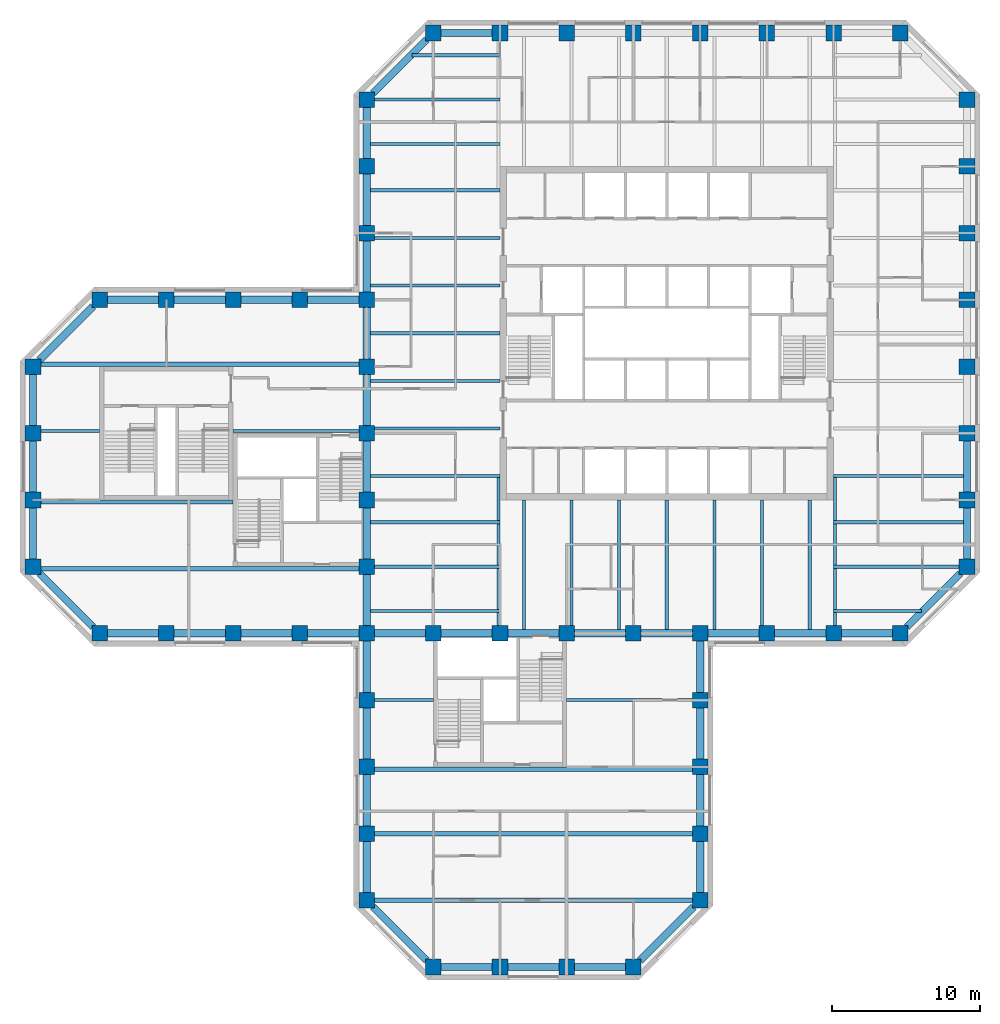
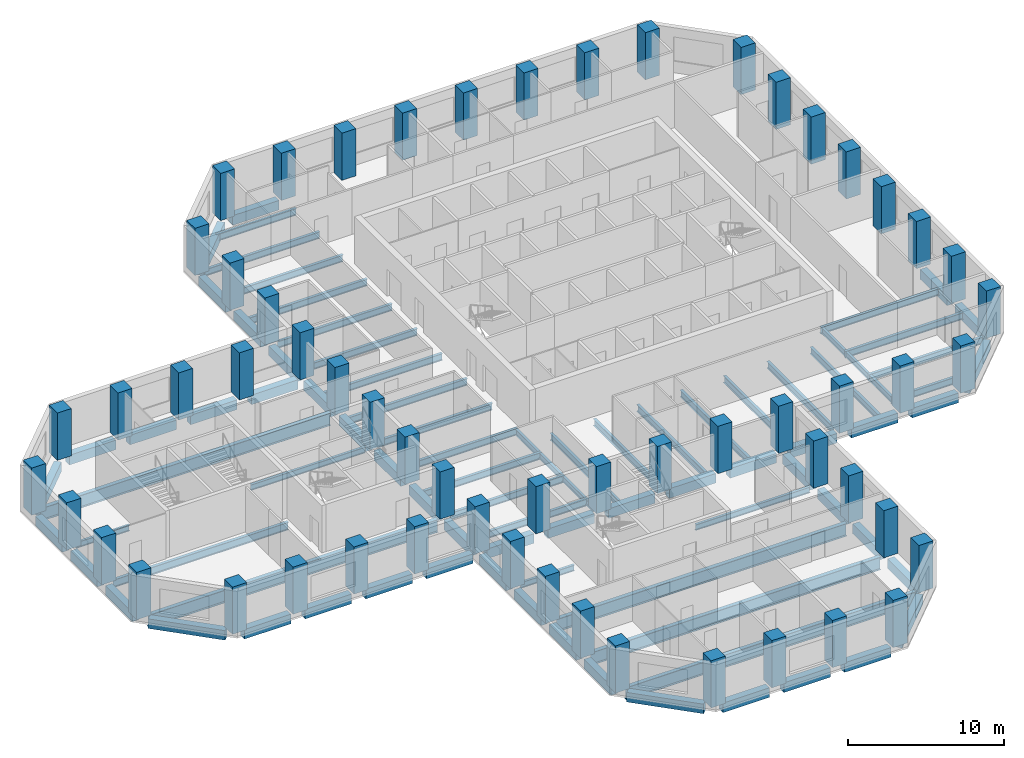
# One storey, part 1 of 11: 83 beams, 57 columns.
"""IFC4 building model written with IfcOpenShell, lengths in metres."""

from ifc_helpers import new_model, si_unit, direction, frame, origin, origin_2d, place, context, subcontext, project, spatial, rectangle, i_section, extrude, material, material_profile, profile_set, type_object, element, save


model = new_model("IFC4")

# Units and contexts
model_context = context("Model", 3, precision=1e-05, world=origin(), true_north=direction((0.0, 1.0)))
body_context = subcontext(model_context, "Body", "Model", "MODEL_VIEW")
ifc_project = project(units=[si_unit("LENGTHUNIT", "METRE"), si_unit("AREAUNIT", "SQUARE_METRE"), si_unit("VOLUMEUNIT", "CUBIC_METRE"), si_unit("PLANEANGLEUNIT", "RADIAN"), si_unit("MASSUNIT", "GRAM", prefix="KILO")], contexts=[model_context])

# Site, building, storey
site_placement = place(None, origin())
site = spatial("IfcSite", under=ifc_project, at=site_placement, CompositionType="ELEMENT")
building_placement = place(site_placement, origin())
building = spatial("IfcBuilding", under=site, at=building_placement, Name="Quoin Convention Tower", CompositionType="ELEMENT")
storey_placement = place(building_placement, frame((0.0, 0.0, 119.60009765625)))
storey = spatial("IfcBuildingStorey", under=building, at=storey_placement, Name="L31", CompositionType="ELEMENT", Elevation=119.60009765625)

# Columns
ifc_material_1 = material(Name="Concrete C65", Category="concrete")
ifc_material_profile_1 = material_profile(ifc_material_1, rectangle(XDim=1.050048828125, YDim=1.050048828125, at=origin_2d()), Name="RC 1050x1050")
ifc_profile_set_1 = profile_set([ifc_material_profile_1], Name="Concrete C65")
column_type = type_object("IfcColumnType", Name="RC 1050x1050 C65", PredefinedType="COLUMN", material=ifc_profile_set_1)
for number, where, z_axis, x_axis, name in (
    (1, (40.5, 18.0, 0.0), (0.0, 0.0, 1.0), (1.0, 0.0, 0.0), "col-L31-40500_18000"),
    (2, (45.0, 18.0, 0.0), (0.0, 0.0, 1.0), (1.0, 0.0, 0.0), "col-L31-45000_18000"),
    (3, (49.5, 18.0, 0.0), (0.0, 0.0, 1.0), (1.0, 0.0, 0.0), "col-L31-49500_18000"),
    (4, (54.0, 18.0, 0.0), (0.0, 0.0, 1.0), (1.0, 0.0, 0.0), "col-L31-54000_18000"),
    (5, (36.0, 22.5, 0.0), (0.0, 0.0, 1.0), (1.0, 0.0, 0.0), "col-L31-36000_22500"),
    (6, (58.5, 22.5, 0.0), (0.0, 0.0, 1.0), (1.0, 0.0, 0.0), "col-L31-58500_22500"),
    (7, (36.0, 27.0, 0.0), (0.0, 0.0, 1.0), (1.0, 0.0, 0.0), "col-L31-36000_27000"),
    (8, (58.5, 27.0, 0.0), (0.0, 0.0, 1.0), (1.0, 0.0, 0.0), "col-L31-58500_27000"),
    (9, (36.0, 31.5, 0.0), (0.0, 0.0, 1.0), (1.0, 0.0, 0.0), "col-L31-36000_31500"),
    (10, (58.5, 31.5, 0.0), (0.0, 0.0, 1.0), (1.0, 0.0, 0.0), "col-L31-58500_31500"),
    (11, (36.0, 36.0, 0.0), (0.0, 0.0, 1.0), (1.0, 0.0, 0.0), "col-L31-36000_36000"),
    (12, (58.5, 36.0, 0.0), (0.0, 0.0, 1.0), (1.0, 0.0, 0.0), "col-L31-58500_36000"),
    (13, (18.0, 40.5, 0.0), (0.0, 0.0, 1.0), (1.0, 0.0, 0.0), "col-L31-18000_40500"),
    (14, (22.5, 40.5, 0.0), (0.0, 0.0, 1.0), (1.0, 0.0, 0.0), "col-L31-22500_40500"),
    (15, (27.0, 40.5, 0.0), (0.0, 0.0, 1.0), (1.0, 0.0, 0.0), "col-L31-27000_40500"),
    (16, (31.5, 40.5, 0.0), (0.0, 0.0, 1.0), (1.0, 0.0, 0.0), "col-L31-31500_40500"),
    (17, (36.0, 40.5, 0.0), (0.0, 0.0, 1.0), (1.0, 0.0, 0.0), "col-L31-36000_40500"),
    (18, (40.5, 40.5, 0.0), (0.0, 0.0, 1.0), (1.0, 0.0, 0.0), "web-L31-40500_40500"),
    (19, (45.0, 40.5, 0.0), (0.0, 0.0, 1.0), (1.0, 0.0, 0.0), "web-L31-45000_40500"),
    (20, (49.5, 40.5, 0.0), (0.0, 0.0, 1.0), (1.0, 0.0, 0.0), "web-L31-49500_40500"),
    (21, (54.0, 40.5, 0.0), (0.0, 0.0, 1.0), (1.0, 0.0, 0.0), "web-L31-54000_40500"),
    (22, (58.5, 40.5, 0.0), (0.0, 0.0, 1.0), (1.0, 0.0, 0.0), "col-L31-58500_40500"),
    (23, (63.0, 40.5, 0.0), (0.0, 0.0, 1.0), (1.0, 0.0, 0.0), "col-L31-63000_40500"),
    (24, (67.5, 40.5, 0.0), (0.0, 0.0, 1.0), (1.0, 0.0, 0.0), "col-L31-67500_40500"),
    (25, (72.0, 40.5, 0.0), (0.0, 0.0, 1.0), (1.0, 0.0, 0.0), "col-L31-72000_40500"),
    (26, (13.5, 45.0, 0.0), (0.0, 0.0, 1.0), (1.0, 0.0, 0.0), "col-L31-13500_45000"),
    (27, (36.0, 45.0, 0.0), (0.0, 0.0, 1.0), (1.0, 0.0, 0.0), "web-L31-36000_45000"),
    (28, (76.5, 45.0, 0.0), (0.0, 0.0, 1.0), (1.0, 0.0, 0.0), "col-L31-76500_45000"),
    (29, (13.5, 49.5, 0.0), (0.0, 0.0, 1.0), (1.0, 0.0, 0.0), "col-L31-13500_49500"),
    (30, (36.0, 49.5, 0.0), (0.0, 0.0, 1.0), (1.0, 0.0, 0.0), "web-L31-36000_49500"),
    (31, (76.5, 49.5, 0.0), (0.0, 0.0, 1.0), (1.0, 0.0, 0.0), "col-L31-76500_49500"),
    (32, (13.5, 54.0, 0.0), (0.0, 0.0, 1.0), (1.0, 0.0, 0.0), "col-L31-13500_54000"),
    (33, (36.0, 54.0, 0.0), (0.0, 0.0, 1.0), (1.0, 0.0, 0.0), "web-L31-36000_54000"),
    (34, (76.5, 54.0, 0.0), (0.0, 0.0, 1.0), (1.0, 0.0, 0.0), "col-L31-76500_54000"),
    (35, (13.5, 58.5, 0.0), (0.0, 0.0, 1.0), (1.0, 0.0, 0.0), "col-L31-13500_58500"),
    (36, (36.0, 58.5, 0.0), (0.0, 0.0, 1.0), (1.0, 0.0, 0.0), "web-L31-36000_58500"),
    (37, (76.5, 58.5, 0.0), (0.0, 0.0, 1.0), (1.0, 0.0, 0.0), "col-L31-76500_58500"),
    (38, (18.0, 63.0, 0.0), (0.0, 0.0, 1.0), (1.0, 0.0, 0.0), "col-L31-18000_63000"),
    (39, (22.5, 63.0, 0.0), (0.0, 0.0, 1.0), (1.0, 0.0, 0.0), "col-L31-22500_63000"),
    (40, (27.0, 63.0, 0.0), (0.0, 0.0, 1.0), (1.0, 0.0, 0.0), "col-L31-27000_63000"),
    (41, (31.5, 63.0, 0.0), (0.0, 0.0, 1.0), (1.0, 0.0, 0.0), "col-L31-31500_63000"),
    (42, (36.0, 63.0, 0.0), (0.0, 0.0, 1.0), (1.0, 0.0, 0.0), "col-L31-36000_63000"),
    (43, (76.5, 63.0, 0.0), (0.0, 0.0, 1.0), (1.0, 0.0, 0.0), "col-L31-76500_63000"),
    (44, (36.0, 67.5, 0.0), (0.0, 0.0, 1.0), (1.0, 0.0, 0.0), "col-L31-36000_67500"),
    (45, (76.5, 67.5, 0.0), (0.0, 0.0, 1.0), (1.0, 0.0, 0.0), "col-L31-76500_67500"),
    (46, (36.0, 72.0, 0.0), (0.0, 0.0, 1.0), (1.0, 0.0, 0.0), "col-L31-36000_72000"),
    (47, (76.5, 72.0, 0.0), (0.0, 0.0, 1.0), (1.0, 0.0, 0.0), "col-L31-76500_72000"),
    (48, (36.0, 76.5, 0.0), (0.0, 0.0, 1.0), (1.0, 0.0, 0.0), "col-L31-36000_76500"),
    (49, (76.5, 76.5, 0.0), (0.0, 0.0, 1.0), (1.0, 0.0, 0.0), "col-L31-76500_76500"),
    (50, (40.5, 81.0, 0.0), (0.0, 0.0, 1.0), (1.0, 0.0, 0.0), "col-L31-40500_81000"),
    (51, (45.0, 81.0, 0.0), (0.0, 0.0, 1.0), (1.0, 0.0, 0.0), "col-L31-45000_81000"),
    (52, (49.5, 81.0, 0.0), (0.0, 0.0, 1.0), (1.0, 0.0, 0.0), "col-L31-49500_81000"),
    (53, (54.0, 81.0, 0.0), (0.0, 0.0, 1.0), (1.0, 0.0, 0.0), "col-L31-54000_81000"),
    (54, (58.5, 81.0, 0.0), (0.0, 0.0, 1.0), (1.0, 0.0, 0.0), "col-L31-58500_81000"),
    (55, (63.0, 81.0, 0.0), (0.0, 0.0, 1.0), (1.0, 0.0, 0.0), "col-L31-63000_81000"),
    (56, (67.5, 81.0, 0.0), (0.0, 0.0, 1.0), (1.0, 0.0, 0.0), "col-L31-67500_81000"),
    (57, (72.0, 81.0, 0.0), (0.0, 0.0, 1.0), (1.0, 0.0, 0.0), "col-L31-72000_81000"),
):
    element("IfcColumn", number, at=place(storey_placement, frame(where, z_axis=z_axis, x_axis=x_axis)), inside=storey, type_object=column_type, Name=name, PredefinedType="COLUMN", context=body_context, shape_type="SweptSolid", body=[
        extrude(rectangle(XDim=1.050048828125, YDim=1.050048828125, at=origin_2d()), origin(), (0.0, 0.0, 1.0), 3.699951171875),
    ])

# Beams
ifc_material_2 = material(Name="Steel Grade 300", Category="steel")
ifc_material_profile_2 = material_profile(ifc_material_2, i_section(OverallWidth=0.300048828125, OverallDepth=1.0, WebThickness=0.01611328125, FlangeThickness=0.02001953125, at=origin_2d()), Name="1000WB215")
ifc_profile_set_2 = profile_set([ifc_material_profile_2], Name="Steel Grade 300")
beam_type_1 = type_object("IfcBeamType", Name="1000WB215", PredefinedType="BEAM", material=ifc_profile_set_2)
for number, where, z_axis, x_axis, name in (
    (58, (36.52490234375, 22.5, -0.650146484375), (1.0, 0.0, 0.0), (0.0, 1.0, 0.0), "gir-L31-ST3-1-0"),
    (59, (36.52490234375, 27.0, -0.650146484375), (1.0, 0.0, 0.0), (0.0, 1.0, 0.0), "gir-L31-ST3-2-0"),
    (60, (36.52490234375, 31.35009765625, -0.650146484375), (1.0, 0.0, 0.0), (0.0, 1.0, 0.0), "gir-L31-ST3-3-0"),
    (61, (14.02490234375, 44.85009765625, -0.650146484375), (1.0, 0.0, 0.0), (0.0, 1.0, 0.0), "gir-L31-ST2-1-0"),
    (62, (14.02490234375, 58.64990234375, -0.650146484375), (1.0, 0.0, 0.0), (0.0, 1.0, 0.0), "gir-L31-ST2-4-0"),
):
    element("IfcBeam", number, at=place(storey_placement, frame(where, z_axis=z_axis, x_axis=x_axis)), inside=storey, type_object=beam_type_1, Name=name, PredefinedType="BEAM", context=body_context, shape_type="SweptSolid", body=[
        extrude(i_section(OverallWidth=0.300048828125, OverallDepth=1.0, WebThickness=0.01611328125, FlangeThickness=0.02001953125, at=origin_2d()), origin(), (0.0, 0.0, 1.0), 21.4501953125),
    ])
ifc_material_profile_3 = material_profile(ifc_material_2, i_section(OverallWidth=0.18994140625, OverallDepth=0.4541015625, WebThickness=0.008544921875, FlangeThickness=0.0126953125, FilletRadius=0.011474609375, at=origin_2d()), Name="460UB67.1")
ifc_profile_set_3 = profile_set([ifc_material_profile_3], Name="Steel Grade 300")
beam_type_2 = type_object("IfcBeamType", Name="460UB67.1", PredefinedType="BEAM", material=ifc_profile_set_3)
for number, where, z_axis, x_axis, name in (
    (63, (44.8955078125, 41.02490234375, -0.377197265625), (0.0, 1.0, 0.0), (-1.0, 0.0, 0.0), "gir-L31-T1SW"),
    (64, (67.6044921875, 41.02490234375, -0.377197265625), (0.0, 1.0, 0.0), (-1.0, 0.0, 0.0), "gir-L31-T1SE"),
):
    element("IfcBeam", number, at=place(storey_placement, frame(where, z_axis=z_axis, x_axis=x_axis)), inside=storey, type_object=beam_type_2, Name=name, PredefinedType="BEAM", context=body_context, shape_type="SweptSolid", body=[
        extrude(i_section(OverallWidth=0.18994140625, OverallDepth=0.4541015625, WebThickness=0.008544921875, FlangeThickness=0.0126953125, FilletRadius=0.011474609375, at=origin_2d()), origin(), (0.0, 0.0, 1.0), 9.977783203125),
    ])
beam_1_placement = place(storey_placement, frame((36.52490234375, 36.0, -0.377197265625), z_axis=(1.0, 0.0, 0.0), x_axis=(0.0, 1.0, 0.0)))
element("IfcBeam", 65, at=beam_1_placement, inside=storey, type_object=beam_type_2, Name="gir-L31-ST3-4-0", PredefinedType="BEAM", context=body_context, shape_type="SweptSolid", body=[
    extrude(i_section(OverallWidth=0.18994140625, OverallDepth=0.4541015625, WebThickness=0.008544921875, FlangeThickness=0.0126953125, FilletRadius=0.011474609375, at=origin_2d()), origin(), (0.0, 0.0, 1.0), 3.97509765625),
])
beam_2_placement = place(storey_placement, frame((49.5, 36.0, -0.377197265625), z_axis=(1.0, 0.0, 0.0), x_axis=(0.0, 1.0, 0.0)))
element("IfcBeam", 66, at=beam_2_placement, inside=storey, type_object=beam_type_2, Name="gir-L31-ST3-4-1", PredefinedType="BEAM", context=body_context, shape_type="SweptSolid", body=[
    extrude(i_section(OverallWidth=0.18994140625, OverallDepth=0.4541015625, WebThickness=0.008544921875, FlangeThickness=0.0126953125, FilletRadius=0.011474609375, at=origin_2d()), origin(), (0.0, 0.0, 1.0), 8.47509765625),
])
beam_3_placement = place(storey_placement, frame((14.02490234375, 54.14990234375, -0.377197265625), z_axis=(1.0, 0.0, 0.0), x_axis=(0.0, 1.0, 0.0)))
element("IfcBeam", 67, at=beam_3_placement, inside=storey, type_object=beam_type_2, Name="gir-L31-ST2-3-0", PredefinedType="BEAM", context=body_context, shape_type="SweptSolid", body=[
    extrude(i_section(OverallWidth=0.18994140625, OverallDepth=0.4541015625, WebThickness=0.008544921875, FlangeThickness=0.0126953125, FilletRadius=0.011474609375, at=origin_2d()), origin(), (0.0, 0.0, 1.0), 3.97509765625),
])
beam_4_placement = place(storey_placement, frame((27.0, 54.14990234375, -0.377197265625), z_axis=(1.0, 0.0, 0.0), x_axis=(0.0, 1.0, 0.0)))
element("IfcBeam", 68, at=beam_4_placement, inside=storey, type_object=beam_type_2, Name="gir-L31-ST2-3-1", PredefinedType="BEAM", context=body_context, shape_type="SweptSolid", body=[
    extrude(i_section(OverallWidth=0.18994140625, OverallDepth=0.4541015625, WebThickness=0.008544921875, FlangeThickness=0.0126953125, FilletRadius=0.011474609375, at=origin_2d()), origin(), (0.0, 0.0, 1.0), 8.47509765625),
])
ifc_material_profile_4 = material_profile(ifc_material_2, i_section(OverallWidth=0.208984375, OverallDepth=0.528076171875, WebThickness=0.009521484375, FlangeThickness=0.01318359375, FilletRadius=0.013916015625, at=origin_2d()), Name="530UB82.0")
ifc_profile_set_4 = profile_set([ifc_material_profile_4], Name="Steel Grade 300")
beam_type_3 = type_object("IfcBeamType", Name="530UB82.0", PredefinedType="BEAM", material=ifc_profile_set_4)
beam_5_placement = place(storey_placement, frame((36.25, 51.107177734375, -0.4140625), z_axis=(1.0, 0.0, 0.0), x_axis=(0.0, 1.0, 0.0)))
element("IfcBeam", 69, at=beam_5_placement, inside=storey, type_object=beam_type_3, Name="bm-L31-T1W0", PredefinedType="BEAM", context=body_context, shape_type="SweptSolid", body=[
    extrude(i_section(OverallWidth=0.208984375, OverallDepth=0.528076171875, WebThickness=0.009521484375, FlangeThickness=0.01318359375, FilletRadius=0.013916015625, at=origin_2d()), origin(), (0.0, 0.0, 1.0), 8.75),
])
beam_6_placement = place(storey_placement, frame((36.52490234375, 54.3212890625, -0.4140625), z_axis=(1.0, 0.0, 0.0), x_axis=(0.0, 1.0, 0.0)))
element("IfcBeam", 70, at=beam_6_placement, inside=storey, type_object=beam_type_3, Name="bm-L31-T1W1", PredefinedType="BEAM", context=body_context, shape_type="SweptSolid", body=[
    extrude(i_section(OverallWidth=0.208984375, OverallDepth=0.528076171875, WebThickness=0.009521484375, FlangeThickness=0.01318359375, FilletRadius=0.013916015625, at=origin_2d()), origin(), (0.0, 0.0, 1.0), 8.47509765625),
])
for number, where, z_axis, x_axis, name in (
    (71, (36.25, 57.53564453125, -0.4140625), (1.0, 0.0, 0.0), (0.0, 1.0, 0.0), "bm-L31-T1W2"),
    (72, (36.25, 60.75, -0.4140625), (1.0, 0.0, 0.0), (0.0, 1.0, 0.0), "bm-L31-T1W3"),
    (73, (36.25, 63.96435546875, -0.4140625), (1.0, 0.0, 0.0), (0.0, 1.0, 0.0), "bm-L31-T1W4"),
):
    element("IfcBeam", number, at=place(storey_placement, frame(where, z_axis=z_axis, x_axis=x_axis)), inside=storey, type_object=beam_type_3, Name=name, PredefinedType="BEAM", context=body_context, shape_type="SweptSolid", body=[
        extrude(i_section(OverallWidth=0.208984375, OverallDepth=0.528076171875, WebThickness=0.009521484375, FlangeThickness=0.01318359375, FilletRadius=0.013916015625, at=origin_2d()), origin(), (0.0, 0.0, 1.0), 8.75),
    ])
beam_7_placement = place(storey_placement, frame((36.52490234375, 67.1787109375, -0.4140625), z_axis=(1.0, 0.0, 0.0), x_axis=(0.0, 1.0, 0.0)))
element("IfcBeam", 74, at=beam_7_placement, inside=storey, type_object=beam_type_3, Name="bm-L31-T1W5", PredefinedType="BEAM", context=body_context, shape_type="SweptSolid", body=[
    extrude(i_section(OverallWidth=0.208984375, OverallDepth=0.528076171875, WebThickness=0.009521484375, FlangeThickness=0.01318359375, FilletRadius=0.013916015625, at=origin_2d()), origin(), (0.0, 0.0, 1.0), 8.47509765625),
])
for number, where, z_axis, x_axis, name in (
    (75, (36.25, 70.392822265625, -0.4140625), (1.0, 0.0, 0.0), (0.0, 1.0, 0.0), "bm-L31-T1W6"),
    (76, (67.5, 51.107177734375, -0.4140625), (1.0, 0.0, 0.0), (0.0, 1.0, 0.0), "bm-L31-T1E0"),
    (77, (46.607177734375, 40.75, -0.4140625), (0.0, 1.0, 0.0), (-1.0, 0.0, 0.0), "bm-L31-T1S0"),
):
    element("IfcBeam", number, at=place(storey_placement, frame(where, z_axis=z_axis, x_axis=x_axis)), inside=storey, type_object=beam_type_3, Name=name, PredefinedType="BEAM", context=body_context, shape_type="SweptSolid", body=[
        extrude(i_section(OverallWidth=0.208984375, OverallDepth=0.528076171875, WebThickness=0.009521484375, FlangeThickness=0.01318359375, FilletRadius=0.013916015625, at=origin_2d()), origin(), (0.0, 0.0, 1.0), 8.75),
    ])
beam_8_placement = place(storey_placement, frame((49.8212890625, 41.02490234375, -0.4140625), z_axis=(0.0, 1.0, 0.0), x_axis=(-1.0, 0.0, 0.0)))
element("IfcBeam", 78, at=beam_8_placement, inside=storey, type_object=beam_type_3, Name="bm-L31-T1S1", PredefinedType="BEAM", context=body_context, shape_type="SweptSolid", body=[
    extrude(i_section(OverallWidth=0.208984375, OverallDepth=0.528076171875, WebThickness=0.009521484375, FlangeThickness=0.01318359375, FilletRadius=0.013916015625, at=origin_2d()), origin(), (0.0, 0.0, 1.0), 8.47509765625),
])
for number, where, z_axis, x_axis, name in (
    (79, (53.03564453125, 40.75, -0.4140625), (0.0, 1.0, 0.0), (-1.0, 0.0, 0.0), "bm-L31-T1S2"),
    (80, (56.25, 40.75, -0.4140625), (0.0, 1.0, 0.0), (-1.0, 0.0, 0.0), "bm-L31-T1S3"),
    (81, (59.46435546875, 40.75, -0.4140625), (0.0, 1.0, 0.0), (-1.0, 0.0, 0.0), "bm-L31-T1S4"),
):
    element("IfcBeam", number, at=place(storey_placement, frame(where, z_axis=z_axis, x_axis=x_axis)), inside=storey, type_object=beam_type_3, Name=name, PredefinedType="BEAM", context=body_context, shape_type="SweptSolid", body=[
        extrude(i_section(OverallWidth=0.208984375, OverallDepth=0.528076171875, WebThickness=0.009521484375, FlangeThickness=0.01318359375, FilletRadius=0.013916015625, at=origin_2d()), origin(), (0.0, 0.0, 1.0), 8.75),
    ])
beam_9_placement = place(storey_placement, frame((62.6787109375, 41.02490234375, -0.4140625), z_axis=(0.0, 1.0, 0.0), x_axis=(-1.0, 0.0, 0.0)))
element("IfcBeam", 82, at=beam_9_placement, inside=storey, type_object=beam_type_3, Name="bm-L31-T1S5", PredefinedType="BEAM", context=body_context, shape_type="SweptSolid", body=[
    extrude(i_section(OverallWidth=0.208984375, OverallDepth=0.528076171875, WebThickness=0.009521484375, FlangeThickness=0.01318359375, FilletRadius=0.013916015625, at=origin_2d()), origin(), (0.0, 0.0, 1.0), 8.47509765625),
])
for number, where, z_axis, x_axis, name in (
    (83, (65.892822265625, 40.75, -0.4140625), (0.0, 1.0, 0.0), (-1.0, 0.0, 0.0), "bm-L31-T1S6"),
    (84, (36.25, 42.0, -0.4140625), (1.0, 0.0, 0.0), (0.0, 1.0, 0.0), "bm-L31-T1SW0"),
):
    element("IfcBeam", number, at=place(storey_placement, frame(where, z_axis=z_axis, x_axis=x_axis)), inside=storey, type_object=beam_type_3, Name=name, PredefinedType="BEAM", context=body_context, shape_type="SweptSolid", body=[
        extrude(i_section(OverallWidth=0.208984375, OverallDepth=0.528076171875, WebThickness=0.009521484375, FlangeThickness=0.01318359375, FilletRadius=0.013916015625, at=origin_2d()), origin(), (0.0, 0.0, 1.0), 8.75),
    ])
beam_10_placement = place(storey_placement, frame((36.52490234375, 45.0, -0.4140625), z_axis=(1.0, 0.0, 0.0), x_axis=(0.0, 1.0, 0.0)))
element("IfcBeam", 85, at=beam_10_placement, inside=storey, type_object=beam_type_3, Name="bm-L31-T1SW1", PredefinedType="BEAM", context=body_context, shape_type="SweptSolid", body=[
    extrude(i_section(OverallWidth=0.208984375, OverallDepth=0.528076171875, WebThickness=0.009521484375, FlangeThickness=0.01318359375, FilletRadius=0.013916015625, at=origin_2d()), origin(), (0.0, 0.0, 1.0), 8.47509765625),
])
beam_11_placement = place(storey_placement, frame((36.25, 48.0, -0.4140625), z_axis=(1.0, 0.0, 0.0), x_axis=(0.0, 1.0, 0.0)))
element("IfcBeam", 86, at=beam_11_placement, inside=storey, type_object=beam_type_3, Name="bm-L31-T1SW2", PredefinedType="BEAM", context=body_context, shape_type="SweptSolid", body=[
    extrude(i_section(OverallWidth=0.208984375, OverallDepth=0.528076171875, WebThickness=0.009521484375, FlangeThickness=0.01318359375, FilletRadius=0.013916015625, at=origin_2d()), origin(), (0.0, 0.0, 1.0), 8.75),
])
beam_12_placement = place(storey_placement, frame((67.5, 42.0, -0.4140625), z_axis=(1.0, 0.0, 0.0), x_axis=(0.0, 1.0, 0.0)))
element("IfcBeam", 87, at=beam_12_placement, inside=storey, type_object=beam_type_3, Name="bm-L31-T1SE0", PredefinedType="BEAM", context=body_context, shape_type="SweptSolid", body=[
    extrude(i_section(OverallWidth=0.208984375, OverallDepth=0.528076171875, WebThickness=0.009521484375, FlangeThickness=0.01318359375, FilletRadius=0.013916015625, at=origin_2d()), origin(), (0.0, 0.0, 1.0), 5.927734375),
])
beam_13_placement = place(storey_placement, frame((67.5, 45.0, -0.4140625), z_axis=(1.0, 0.0, 0.0), x_axis=(0.0, 1.0, 0.0)))
element("IfcBeam", 88, at=beam_13_placement, inside=storey, type_object=beam_type_3, Name="bm-L31-T1SE1", PredefinedType="BEAM", context=body_context, shape_type="SweptSolid", body=[
    extrude(i_section(OverallWidth=0.208984375, OverallDepth=0.528076171875, WebThickness=0.009521484375, FlangeThickness=0.01318359375, FilletRadius=0.013916015625, at=origin_2d()), origin(), (0.0, 0.0, 1.0), 8.47509765625),
])
beam_14_placement = place(storey_placement, frame((67.5, 48.0, -0.4140625), z_axis=(1.0, 0.0, 0.0), x_axis=(0.0, 1.0, 0.0)))
element("IfcBeam", 89, at=beam_14_placement, inside=storey, type_object=beam_type_3, Name="bm-L31-T1SE2", PredefinedType="BEAM", context=body_context, shape_type="SweptSolid", body=[
    extrude(i_section(OverallWidth=0.208984375, OverallDepth=0.528076171875, WebThickness=0.009521484375, FlangeThickness=0.01318359375, FilletRadius=0.013916015625, at=origin_2d()), origin(), (0.0, 0.0, 1.0), 8.75),
])
beam_15_placement = place(storey_placement, frame((39.072265625, 79.5, -0.4140625), z_axis=(1.0, 0.0, 0.0), x_axis=(0.0, 1.0, 0.0)))
element("IfcBeam", 90, at=beam_15_placement, inside=storey, type_object=beam_type_3, Name="bm-L31-T1NW0", PredefinedType="BEAM", context=body_context, shape_type="SweptSolid", body=[
    extrude(i_section(OverallWidth=0.208984375, OverallDepth=0.528076171875, WebThickness=0.009521484375, FlangeThickness=0.01318359375, FilletRadius=0.013916015625, at=origin_2d()), origin(), (0.0, 0.0, 1.0), 5.927734375),
])
beam_16_placement = place(storey_placement, frame((36.52490234375, 76.5, -0.4140625), z_axis=(1.0, 0.0, 0.0), x_axis=(0.0, 1.0, 0.0)))
element("IfcBeam", 91, at=beam_16_placement, inside=storey, type_object=beam_type_3, Name="bm-L31-T1NW1", PredefinedType="BEAM", context=body_context, shape_type="SweptSolid", body=[
    extrude(i_section(OverallWidth=0.208984375, OverallDepth=0.528076171875, WebThickness=0.009521484375, FlangeThickness=0.01318359375, FilletRadius=0.013916015625, at=origin_2d()), origin(), (0.0, 0.0, 1.0), 8.47509765625),
])
beam_17_placement = place(storey_placement, frame((36.25, 73.5, -0.4140625), z_axis=(1.0, 0.0, 0.0), x_axis=(0.0, 1.0, 0.0)))
element("IfcBeam", 92, at=beam_17_placement, inside=storey, type_object=beam_type_3, Name="bm-L31-T1NW2", PredefinedType="BEAM", context=body_context, shape_type="SweptSolid", body=[
    extrude(i_section(OverallWidth=0.208984375, OverallDepth=0.528076171875, WebThickness=0.009521484375, FlangeThickness=0.01318359375, FilletRadius=0.013916015625, at=origin_2d()), origin(), (0.0, 0.0, 1.0), 8.75),
])
ifc_material_profile_5 = material_profile(ifc_material_2, i_section(OverallWidth=0.22802734375, OverallDepth=0.60205078125, WebThickness=0.010498046875, FlangeThickness=0.014892578125, FilletRadius=0.013916015625, at=origin_2d()), Name="610UB101")
ifc_profile_set_5 = profile_set([ifc_material_profile_5], Name="Steel Grade 300")
beam_type_4 = type_object("IfcBeamType", Name="610UB101", PredefinedType="BEAM", material=ifc_profile_set_5)
beam_18_placement = place(storey_placement, frame((14.02490234375, 49.35009765625, -0.451171875), z_axis=(1.0, 0.0, 0.0), x_axis=(0.0, 1.0, 0.0)))
element("IfcBeam", 93, at=beam_18_placement, inside=storey, type_object=beam_type_4, Name="gir-L31-ST2-2-0", PredefinedType="BEAM", context=body_context, shape_type="SweptSolid", body=[
    extrude(i_section(OverallWidth=0.22802734375, OverallDepth=0.60205078125, WebThickness=0.010498046875, FlangeThickness=0.014892578125, FilletRadius=0.013916015625, at=origin_2d()), origin(), (0.0, 0.0, 1.0), 12.97509765625),
])
ifc_material_profile_6 = material_profile(ifc_material_1, rectangle(XDim=0.5, YDim=0.75, at=origin_2d()), Name="RC 500x750")
ifc_profile_set_6 = profile_set([ifc_material_profile_6], Name="Concrete C65")
beam_type_5 = type_object("IfcBeamType", Name="RC 500x750 C65", PredefinedType="SPANDREL", material=ifc_profile_set_6)
for number, where, z_axis, x_axis, name in (
    (94, (59.02490234375, 40.5, -0.525146484375), (1.0, 0.0, 0.0), (0.0, 1.0, 0.0), "spd-L31-58500_40500-63000_40500"),
    (95, (63.52490234375, 40.5, -0.525146484375), (1.0, 0.0, 0.0), (0.0, 1.0, 0.0), "spd-L31-63000_40500-67500_40500"),
    (96, (68.02490234375, 40.5, -0.525146484375), (1.0, 0.0, 0.0), (0.0, 1.0, 0.0), "spd-L31-67500_40500-72000_40500"),
):
    element("IfcBeam", number, at=place(storey_placement, frame(where, z_axis=z_axis, x_axis=x_axis)), inside=storey, type_object=beam_type_5, Name=name, PredefinedType="SPANDREL", context=body_context, shape_type="SweptSolid", body=[
        extrude(rectangle(XDim=0.5, YDim=0.75, at=origin_2d()), origin(), (0.0, 0.0, 1.0), 3.4501953125),
    ])
beam_19_placement = place(storey_placement, frame((72.440185546875, 40.940185546875, -0.525146484375), z_axis=(0.707106781187, 0.707106781187, 0.0), x_axis=(-0.707106781187, 0.707106781187, 0.0)))
element("IfcBeam", 97, at=beam_19_placement, inside=storey, type_object=beam_type_5, Name="spd-L31-72000_40500-76500_45000", PredefinedType="SPANDREL", context=body_context, shape_type="SweptSolid", body=[
    extrude(rectangle(XDim=0.5, YDim=0.75, at=origin_2d()), origin(), (0.0, 0.0, 1.0), 5.118896484375),
])
for number, where, z_axis, x_axis, name in (
    (98, (76.5, 45.52490234375, -0.525146484375), (0.0, 1.0, 0.0), (-1.0, 0.0, 0.0), "spd-L31-76500_45000-76500_49500"),
    (99, (76.5, 50.02490234375, -0.525146484375), (0.0, 1.0, 0.0), (-1.0, 0.0, 0.0), "spd-L31-76500_49500-76500_54000"),
    (100, (44.47509765625, 81.0, -0.525146484375), (-1.0, 0.0, 0.0), (0.0, -1.0, 0.0), "spd-L31-45000_81000-40500_81000"),
):
    element("IfcBeam", number, at=place(storey_placement, frame(where, z_axis=z_axis, x_axis=x_axis)), inside=storey, type_object=beam_type_5, Name=name, PredefinedType="SPANDREL", context=body_context, shape_type="SweptSolid", body=[
        extrude(rectangle(XDim=0.5, YDim=0.75, at=origin_2d()), origin(), (0.0, 0.0, 1.0), 3.4501953125),
    ])
beam_20_placement = place(storey_placement, frame((40.059814453125, 80.559814453125, -0.525146484375), z_axis=(-0.707106781187, -0.707106781187, 0.0), x_axis=(0.707106781187, -0.707106781187, 0.0)))
element("IfcBeam", 101, at=beam_20_placement, inside=storey, type_object=beam_type_5, Name="spd-L31-40500_81000-36000_76500", PredefinedType="SPANDREL", context=body_context, shape_type="SweptSolid", body=[
    extrude(rectangle(XDim=0.5, YDim=0.75, at=origin_2d()), origin(), (0.0, 0.0, 1.0), 5.118896484375),
])
for number, where, z_axis, x_axis, name in (
    (102, (36.0, 75.97509765625, -0.525146484375), (0.0, -1.0, 0.0), (1.0, 0.0, 0.0), "spd-L31-36000_76500-36000_72000"),
    (103, (36.0, 71.47509765625, -0.525146484375), (0.0, -1.0, 0.0), (1.0, 0.0, 0.0), "spd-L31-36000_72000-36000_67500"),
    (104, (36.0, 66.97509765625, -0.525146484375), (0.0, -1.0, 0.0), (1.0, 0.0, 0.0), "spd-L31-36000_67500-36000_63000"),
    (105, (35.47509765625, 63.0, -0.525146484375), (-1.0, 0.0, 0.0), (0.0, -1.0, 0.0), "spd-L31-36000_63000-31500_63000"),
    (106, (30.97509765625, 63.0, -0.525146484375), (-1.0, 0.0, 0.0), (0.0, -1.0, 0.0), "spd-L31-31500_63000-27000_63000"),
    (107, (26.47509765625, 63.0, -0.525146484375), (-1.0, 0.0, 0.0), (0.0, -1.0, 0.0), "spd-L31-27000_63000-22500_63000"),
    (108, (21.97509765625, 63.0, -0.525146484375), (-1.0, 0.0, 0.0), (0.0, -1.0, 0.0), "spd-L31-22500_63000-18000_63000"),
):
    element("IfcBeam", number, at=place(storey_placement, frame(where, z_axis=z_axis, x_axis=x_axis)), inside=storey, type_object=beam_type_5, Name=name, PredefinedType="SPANDREL", context=body_context, shape_type="SweptSolid", body=[
        extrude(rectangle(XDim=0.5, YDim=0.75, at=origin_2d()), origin(), (0.0, 0.0, 1.0), 3.4501953125),
    ])
beam_21_placement = place(storey_placement, frame((17.559814453125, 62.559814453125, -0.525146484375), z_axis=(-0.707106781187, -0.707106781187, 0.0), x_axis=(0.707106781187, -0.707106781187, 0.0)))
element("IfcBeam", 109, at=beam_21_placement, inside=storey, type_object=beam_type_5, Name="spd-L31-18000_63000-13500_58500", PredefinedType="SPANDREL", context=body_context, shape_type="SweptSolid", body=[
    extrude(rectangle(XDim=0.5, YDim=0.75, at=origin_2d()), origin(), (0.0, 0.0, 1.0), 5.118896484375),
])
for number, where, z_axis, x_axis, name in (
    (110, (13.5, 57.97509765625, -0.525146484375), (0.0, -1.0, 0.0), (1.0, 0.0, 0.0), "spd-L31-13500_58500-13500_54000"),
    (111, (13.5, 53.47509765625, -0.525146484375), (0.0, -1.0, 0.0), (1.0, 0.0, 0.0), "spd-L31-13500_54000-13500_49500"),
    (112, (13.5, 48.97509765625, -0.525146484375), (0.0, -1.0, 0.0), (1.0, 0.0, 0.0), "spd-L31-13500_49500-13500_45000"),
):
    element("IfcBeam", number, at=place(storey_placement, frame(where, z_axis=z_axis, x_axis=x_axis)), inside=storey, type_object=beam_type_5, Name=name, PredefinedType="SPANDREL", context=body_context, shape_type="SweptSolid", body=[
        extrude(rectangle(XDim=0.5, YDim=0.75, at=origin_2d()), origin(), (0.0, 0.0, 1.0), 3.4501953125),
    ])
beam_22_placement = place(storey_placement, frame((13.940185546875, 44.559814453125, -0.525146484375), z_axis=(0.707106781187, -0.707106781187, 0.0), x_axis=(0.707106781187, 0.707106781187, 0.0)))
element("IfcBeam", 113, at=beam_22_placement, inside=storey, type_object=beam_type_5, Name="spd-L31-13500_45000-18000_40500", PredefinedType="SPANDREL", context=body_context, shape_type="SweptSolid", body=[
    extrude(rectangle(XDim=0.5, YDim=0.75, at=origin_2d()), origin(), (0.0, 0.0, 1.0), 5.118896484375),
])
for number, where, z_axis, x_axis, name in (
    (114, (18.52490234375, 40.5, -0.525146484375), (1.0, 0.0, 0.0), (0.0, 1.0, 0.0), "spd-L31-18000_40500-22500_40500"),
    (115, (23.02490234375, 40.5, -0.525146484375), (1.0, 0.0, 0.0), (0.0, 1.0, 0.0), "spd-L31-22500_40500-27000_40500"),
    (116, (27.52490234375, 40.5, -0.525146484375), (1.0, 0.0, 0.0), (0.0, 1.0, 0.0), "spd-L31-27000_40500-31500_40500"),
    (117, (32.02490234375, 40.5, -0.525146484375), (1.0, 0.0, 0.0), (0.0, 1.0, 0.0), "spd-L31-31500_40500-36000_40500"),
    (118, (36.0, 39.97509765625, -0.525146484375), (0.0, -1.0, 0.0), (1.0, 0.0, 0.0), "spd-L31-36000_40500-36000_36000"),
    (119, (36.0, 35.47509765625, -0.525146484375), (0.0, -1.0, 0.0), (1.0, 0.0, 0.0), "spd-L31-36000_36000-36000_31500"),
    (120, (36.0, 30.97509765625, -0.525146484375), (0.0, -1.0, 0.0), (1.0, 0.0, 0.0), "spd-L31-36000_31500-36000_27000"),
    (121, (36.0, 26.47509765625, -0.525146484375), (0.0, -1.0, 0.0), (1.0, 0.0, 0.0), "spd-L31-36000_27000-36000_22500"),
):
    element("IfcBeam", number, at=place(storey_placement, frame(where, z_axis=z_axis, x_axis=x_axis)), inside=storey, type_object=beam_type_5, Name=name, PredefinedType="SPANDREL", context=body_context, shape_type="SweptSolid", body=[
        extrude(rectangle(XDim=0.5, YDim=0.75, at=origin_2d()), origin(), (0.0, 0.0, 1.0), 3.4501953125),
    ])
beam_23_placement = place(storey_placement, frame((36.440185546875, 22.059814453125, -0.525146484375), z_axis=(0.707106781187, -0.707106781187, 0.0), x_axis=(0.707106781187, 0.707106781187, 0.0)))
element("IfcBeam", 122, at=beam_23_placement, inside=storey, type_object=beam_type_5, Name="spd-L31-36000_22500-40500_18000", PredefinedType="SPANDREL", context=body_context, shape_type="SweptSolid", body=[
    extrude(rectangle(XDim=0.5, YDim=0.75, at=origin_2d()), origin(), (0.0, 0.0, 1.0), 5.118896484375),
])
for number, where, z_axis, x_axis, name in (
    (123, (41.02490234375, 18.0, -0.525146484375), (1.0, 0.0, 0.0), (0.0, 1.0, 0.0), "spd-L31-40500_18000-45000_18000"),
    (124, (45.52490234375, 18.0, -0.525146484375), (1.0, 0.0, 0.0), (0.0, 1.0, 0.0), "spd-L31-45000_18000-49500_18000"),
    (125, (50.02490234375, 18.0, -0.525146484375), (1.0, 0.0, 0.0), (0.0, 1.0, 0.0), "spd-L31-49500_18000-54000_18000"),
):
    element("IfcBeam", number, at=place(storey_placement, frame(where, z_axis=z_axis, x_axis=x_axis)), inside=storey, type_object=beam_type_5, Name=name, PredefinedType="SPANDREL", context=body_context, shape_type="SweptSolid", body=[
        extrude(rectangle(XDim=0.5, YDim=0.75, at=origin_2d()), origin(), (0.0, 0.0, 1.0), 3.4501953125),
    ])
beam_24_placement = place(storey_placement, frame((54.440185546875, 18.440185546875, -0.525146484375), z_axis=(0.707106781187, 0.707106781187, 0.0), x_axis=(-0.707106781187, 0.707106781187, 0.0)))
element("IfcBeam", 126, at=beam_24_placement, inside=storey, type_object=beam_type_5, Name="spd-L31-54000_18000-58500_22500", PredefinedType="SPANDREL", context=body_context, shape_type="SweptSolid", body=[
    extrude(rectangle(XDim=0.5, YDim=0.75, at=origin_2d()), origin(), (0.0, 0.0, 1.0), 5.118896484375),
])
for number, where, z_axis, x_axis, name in (
    (127, (58.5, 23.02490234375, -0.525146484375), (0.0, 1.0, 0.0), (-1.0, 0.0, 0.0), "spd-L31-58500_22500-58500_27000"),
    (128, (58.5, 27.52490234375, -0.525146484375), (0.0, 1.0, 0.0), (-1.0, 0.0, 0.0), "spd-L31-58500_27000-58500_31500"),
    (129, (58.5, 32.02490234375, -0.525146484375), (0.0, 1.0, 0.0), (-1.0, 0.0, 0.0), "spd-L31-58500_31500-58500_36000"),
    (130, (58.5, 36.52490234375, -0.525146484375), (0.0, 1.0, 0.0), (-1.0, 0.0, 0.0), "spd-L31-58500_36000-58500_40500"),
    (131, (36.52490234375, 40.5, -0.525146484375), (1.0, 0.0, 0.0), (0.0, 1.0, 0.0), "spd-L31-36000_40500-40500_40500"),
    (132, (41.02490234375, 40.5, -0.525146484375), (1.0, 0.0, 0.0), (0.0, 1.0, 0.0), "spd-L31-40500_40500-45000_40500"),
    (133, (45.52490234375, 40.5, -0.525146484375), (1.0, 0.0, 0.0), (0.0, 1.0, 0.0), "spd-L31-45000_40500-49500_40500"),
    (134, (50.02490234375, 40.5, -0.525146484375), (1.0, 0.0, 0.0), (0.0, 1.0, 0.0), "spd-L31-49500_40500-54000_40500"),
    (135, (54.52490234375, 40.5, -0.525146484375), (1.0, 0.0, 0.0), (0.0, 1.0, 0.0), "spd-L31-54000_40500-58500_40500"),
    (136, (36.0, 41.02490234375, -0.525146484375), (0.0, 1.0, 0.0), (-1.0, 0.0, 0.0), "spd-L31-36000_40500-36000_45000"),
    (137, (36.0, 45.52490234375, -0.525146484375), (0.0, 1.0, 0.0), (-1.0, 0.0, 0.0), "spd-L31-36000_45000-36000_49500"),
    (138, (36.0, 50.02490234375, -0.525146484375), (0.0, 1.0, 0.0), (-1.0, 0.0, 0.0), "spd-L31-36000_49500-36000_54000"),
    (139, (36.0, 54.52490234375, -0.525146484375), (0.0, 1.0, 0.0), (-1.0, 0.0, 0.0), "spd-L31-36000_54000-36000_58500"),
    (140, (36.0, 59.02490234375, -0.525146484375), (0.0, 1.0, 0.0), (-1.0, 0.0, 0.0), "spd-L31-36000_58500-36000_63000"),
):
    element("IfcBeam", number, at=place(storey_placement, frame(where, z_axis=z_axis, x_axis=x_axis)), inside=storey, type_object=beam_type_5, Name=name, PredefinedType="SPANDREL", context=body_context, shape_type="SweptSolid", body=[
        extrude(rectangle(XDim=0.5, YDim=0.75, at=origin_2d()), origin(), (0.0, 0.0, 1.0), 3.4501953125),
    ])

save(model, "model.ifc")
